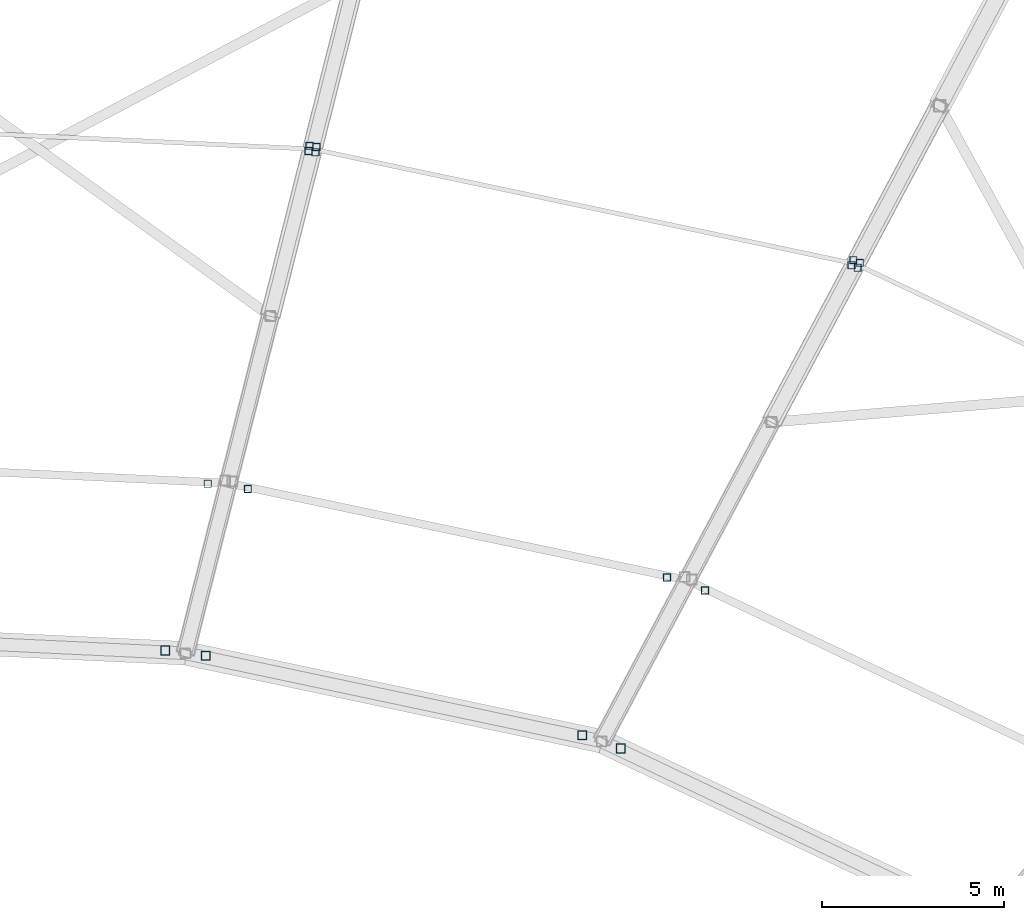
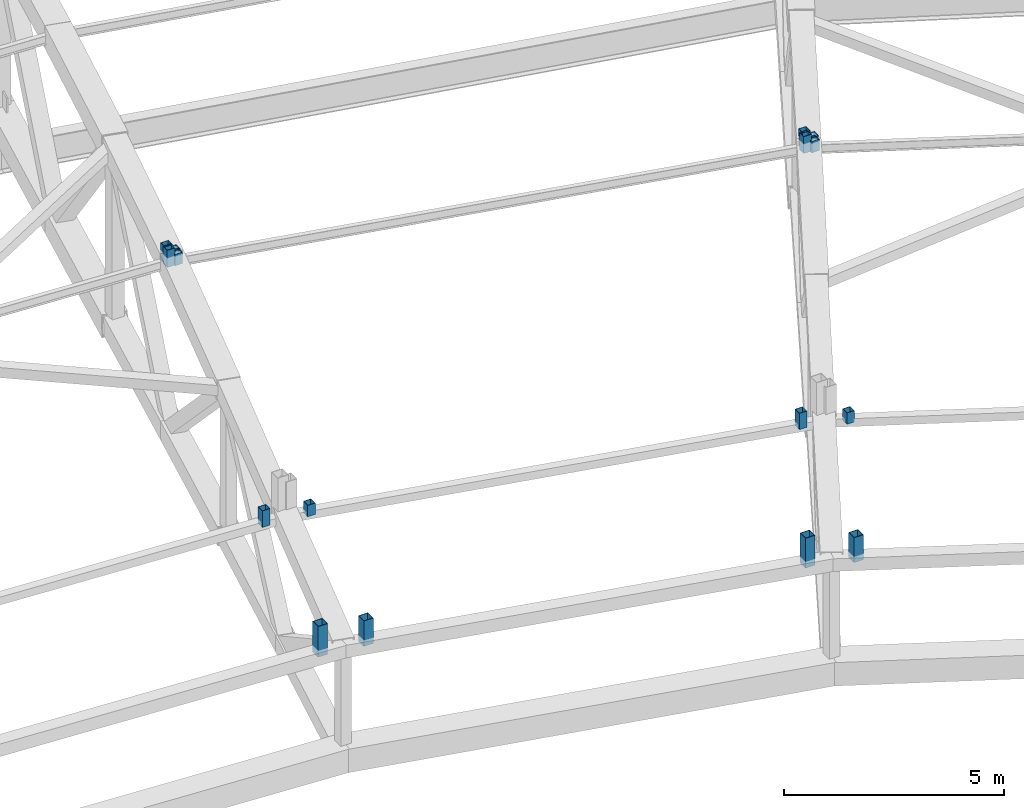
# One storey, part 131 of 162: 16 members.
"""IFC4 building model written with IfcOpenShell, lengths in metres."""

from ifc_helpers import new_model, si_unit, direction, frame, origin, origin_2d, place, context, subcontext, project, spatial, hollow_rectangle, extrude, material, material_profile, profile_set, type_object, element, save


model = new_model("IFC4")

# Units and contexts
model_context = context("Model", 3, precision=1e-05, world=origin(), true_north=direction((0.0, 1.0)))
body_context = subcontext(model_context, "Body", "Model", "MODEL_VIEW")
ifc_project = project(units=[si_unit("LENGTHUNIT", "METRE"), si_unit("AREAUNIT", "SQUARE_METRE"), si_unit("VOLUMEUNIT", "CUBIC_METRE"), si_unit("PLANEANGLEUNIT", "RADIAN"), si_unit("MASSUNIT", "GRAM", prefix="KILO")], contexts=[model_context])

# Site, building, storey
site_placement = place(None, origin())
site = spatial("IfcSite", under=ifc_project, at=site_placement, CompositionType="ELEMENT")
building_placement = place(site_placement, origin())
building = spatial("IfcBuilding", under=site, at=building_placement, Name="Kazemori Nagisa Stadium", CompositionType="ELEMENT")
storey_placement = place(building_placement, frame((0.0, 0.0, 36.719970703125)))
storey = spatial("IfcBuildingStorey", under=building, at=storey_placement, Name="RF", CompositionType="ELEMENT", Elevation=36.719970703125)

# Members
ifc_material = material(Name="Steel STKR490", Category="steel")
ifc_material_profile_1 = material_profile(ifc_material, hollow_rectangle(XDim=0.25, YDim=0.25, WallThickness=0.011962890625, at=origin_2d()), Name="SHS-250x250x12")
ifc_profile_set_1 = profile_set([ifc_material_profile_1], Name="Steel STKR490")
member_type_1 = type_object("IfcMemberType", Name="Member_ST-SHS250", PredefinedType="STUD", material=ifc_profile_set_1)
member_1_placement = place(storey_placement, frame((146.427001953125, 144.850830078125, 4.719970703125), z_axis=(0.0, 0.0, 1.0), x_axis=(1.0, 0.0, 0.0)))
element("IfcMember", 1, at=member_1_placement, inside=storey, type_object=member_type_1, Name="Oculus skylight bearing stool B05-2", PredefinedType="STUD", context=body_context, shape_type="SweptSolid", body=[
    extrude(hollow_rectangle(XDim=0.25, YDim=0.25, WallThickness=0.011962890625, at=origin_2d()), origin(), (0.0, 0.0, 1.0), 0.693115234375),
])
member_2_placement = place(storey_placement, frame((145.365234375, 145.21484375, 4.719970703125), z_axis=(0.0, 0.0, 1.0), x_axis=(1.0, 0.0, 0.0)))
element("IfcMember", 2, at=member_2_placement, inside=storey, type_object=member_type_1, Name="Oculus skylight bearing stool B06-1", PredefinedType="STUD", context=body_context, shape_type="SweptSolid", body=[
    extrude(hollow_rectangle(XDim=0.25, YDim=0.25, WallThickness=0.011962890625, at=origin_2d()), origin(), (0.0, 0.0, 1.0), 0.830078125),
])
member_3_placement = place(storey_placement, frame((135.02197265625, 147.39697265625, 4.845947265625), z_axis=(0.0, 0.0, 1.0), x_axis=(1.0, 0.0, 0.0)))
element("IfcMember", 3, at=member_3_placement, inside=storey, type_object=member_type_1, Name="Oculus skylight bearing stool B06-2", PredefinedType="STUD", context=body_context, shape_type="SweptSolid", body=[
    extrude(hollow_rectangle(XDim=0.25, YDim=0.25, WallThickness=0.011962890625, at=origin_2d()), origin(), (0.0, 0.0, 1.0), 0.7041015625),
])
member_4_placement = place(storey_placement, frame((133.907958984375, 147.544677734375, 4.845947265625), z_axis=(0.0, 0.0, 1.0), x_axis=(1.0, 0.0, 0.0)))
element("IfcMember", 4, at=member_4_placement, inside=storey, type_object=member_type_1, Name="Oculus skylight bearing stool B07-1", PredefinedType="STUD", context=body_context, shape_type="SweptSolid", body=[
    extrude(hollow_rectangle(XDim=0.25, YDim=0.25, WallThickness=0.011962890625, at=origin_2d()), origin(), (0.0, 0.0, 1.0), 0.84912109375),
])
ifc_material_profile_2 = material_profile(ifc_material, hollow_rectangle(XDim=0.199951171875, YDim=0.199951171875, WallThickness=0.009033203125, at=origin_2d()), Name="SHS-200x200x9")
ifc_profile_set_2 = profile_set([ifc_material_profile_2], Name="Steel STKR490")
member_type_2 = type_object("IfcMemberType", Name="Member_TS-SHS200", PredefinedType="STRUT", material=ifc_profile_set_2)
for number, where, z_axis, x_axis, name in (
    (5, (152.993896484375, 158.19384765625, 5.7900390625), (0.0, 0.0, 1.0), (1.0, 0.0, 0.0), "Canopy bearing stool B05-mid-3"),
    (6, (152.935546875, 158.058837890625, 5.7900390625), (0.0, 0.0, 1.0), (1.0, 0.0, 0.0), "Canopy bearing stool B05-inner-2"),
    (7, (148.7392578125, 149.189453125, 5.09814453125), (0.0, 0.0, 1.0), (1.0, 0.0, 0.0), "Oculus skylight bearing stool B05-3"),
    (8, (138.0634765625, 161.375244140625, 5.944091796875), (0.0, 0.0, 1.0), (1.0, 0.0, 0.0), "Canopy bearing stool B06-mid-3"),
):
    element("IfcMember", number, at=place(storey_placement, frame(where, z_axis=z_axis, x_axis=x_axis)), inside=storey, type_object=member_type_2, Name=name, PredefinedType="STRUT", context=body_context, shape_type="SweptSolid", body=[
        extrude(hollow_rectangle(XDim=0.199951171875, YDim=0.199951171875, WallThickness=0.009033203125, at=origin_2d()), origin(), (0.0, 0.0, 1.0), 0.31494140625),
    ])
for number, where, z_axis, x_axis, name in (
    (9, (152.81689453125, 158.267578125, 5.7900390625), (0.0, 0.0, 1.0), (1.0, 0.0, 0.0), "Canopy bearing stool B06-mid-4"),
    (10, (152.76318359375, 158.128173828125, 5.7900390625), (0.0, 0.0, 1.0), (1.0, 0.0, 0.0), "Canopy bearing stool B06-inner-1"),
):
    element("IfcMember", number, at=place(storey_placement, frame(where, z_axis=z_axis, x_axis=x_axis)), inside=storey, type_object=member_type_2, Name=name, PredefinedType="STRUT", context=body_context, shape_type="SweptSolid", body=[
        extrude(hollow_rectangle(XDim=0.199951171875, YDim=0.199951171875, WallThickness=0.009033203125, at=origin_2d()), origin(), (0.0, 0.0, 1.0), 0.468994140625),
    ])
for number, where, z_axis, x_axis, name in (
    (11, (138.0390625, 161.233642578125, 5.944091796875), (0.0, 0.0, 1.0), (1.0, 0.0, 0.0), "Canopy bearing stool B06-inner-2"),
    (12, (136.1806640625, 151.97998046875, 5.235107421875), (0.0, 0.0, 1.0), (1.0, 0.0, 0.0), "Oculus skylight bearing stool B06-3"),
):
    element("IfcMember", number, at=place(storey_placement, frame(where, z_axis=z_axis, x_axis=x_axis)), inside=storey, type_object=member_type_2, Name=name, PredefinedType="STRUT", context=body_context, shape_type="SweptSolid", body=[
        extrude(hollow_rectangle(XDim=0.199951171875, YDim=0.199951171875, WallThickness=0.009033203125, at=origin_2d()), origin(), (0.0, 0.0, 1.0), 0.31494140625),
    ])
member_5_placement = place(storey_placement, frame((147.69580078125, 149.548828125, 5.09814453125), z_axis=(0.0, 0.0, 1.0), x_axis=(1.0, 0.0, 0.0)))
element("IfcMember", 13, at=member_5_placement, inside=storey, type_object=member_type_2, Name="Oculus skylight bearing stool B06-4", PredefinedType="STRUT", context=body_context, shape_type="SweptSolid", body=[
    extrude(hollow_rectangle(XDim=0.199951171875, YDim=0.199951171875, WallThickness=0.009033203125, at=origin_2d()), origin(), (0.0, 0.0, 1.0), 0.451904296875),
])
for number, where, z_axis, x_axis, name in (
    (14, (137.875732421875, 161.40966796875, 5.944091796875), (0.0, 0.0, 1.0), (1.0, 0.0, 0.0), "Canopy bearing stool B07-mid-4"),
    (15, (137.850341796875, 161.2646484375, 5.944091796875), (0.0, 0.0, 1.0), (1.0, 0.0, 0.0), "Canopy bearing stool B07-inner-1"),
):
    element("IfcMember", number, at=place(storey_placement, frame(where, z_axis=z_axis, x_axis=x_axis)), inside=storey, type_object=member_type_2, Name=name, PredefinedType="STRUT", context=body_context, shape_type="SweptSolid", body=[
        extrude(hollow_rectangle(XDim=0.199951171875, YDim=0.199951171875, WallThickness=0.009033203125, at=origin_2d()), origin(), (0.0, 0.0, 1.0), 0.475830078125),
    ])
member_6_placement = place(storey_placement, frame((135.0791015625, 152.125244140625, 5.235107421875), z_axis=(0.0, 0.0, 1.0), x_axis=(1.0, 0.0, 0.0)))
element("IfcMember", 16, at=member_6_placement, inside=storey, type_object=member_type_2, Name="Oculus skylight bearing stool B07-4", PredefinedType="STRUT", context=body_context, shape_type="SweptSolid", body=[
    extrude(hollow_rectangle(XDim=0.199951171875, YDim=0.199951171875, WallThickness=0.009033203125, at=origin_2d()), origin(), (0.0, 0.0, 1.0), 0.4599609375),
])

save(model, "model.ifc")
